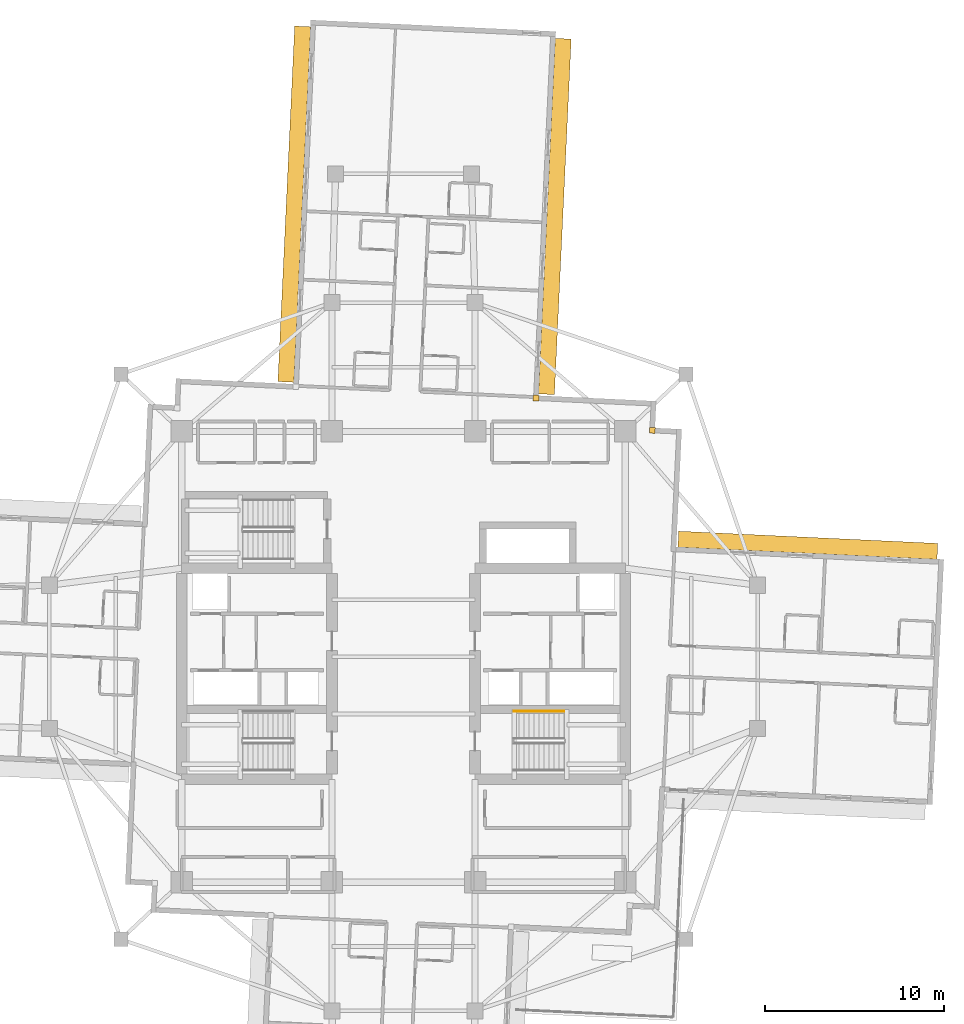
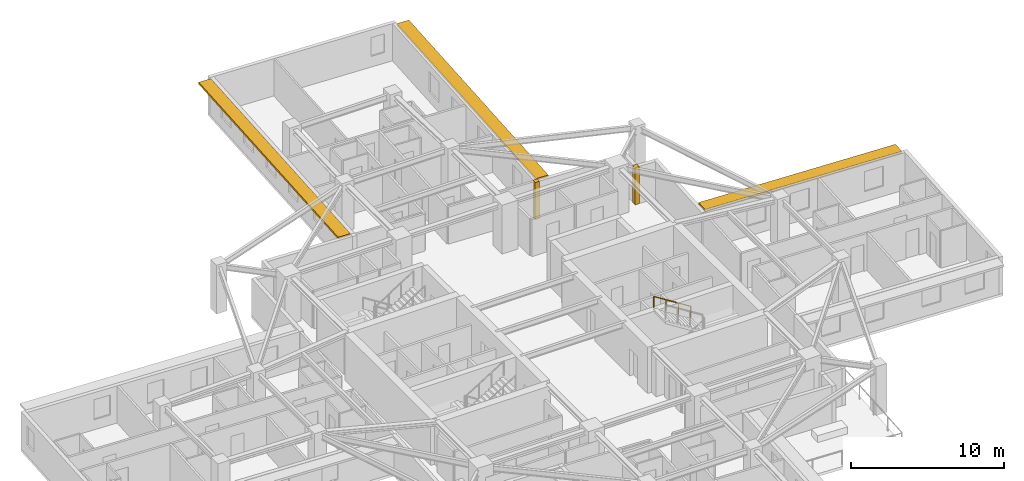
# One storey, part 14 of 14: 3 shading devices, 2 coverings, 1 railing.
"""IFC4 building model written with IfcOpenShell, lengths in metres."""

from ifc_helpers import new_model, si_unit, direction, frame, origin, origin_2d, place, context, subcontext, project, spatial, rectangle, circle, extrude, material, layer, layer_set, type_object, element, save


model = new_model("IFC4")

# Units and contexts
model_context = context("Model", 3, precision=1e-05, world=origin(), true_north=direction((0.0, 1.0)))
body_context = subcontext(model_context, "Body", "Model", "MODEL_VIEW")
ifc_project = project(units=[si_unit("LENGTHUNIT", "METRE"), si_unit("AREAUNIT", "SQUARE_METRE"), si_unit("VOLUMEUNIT", "CUBIC_METRE"), si_unit("PLANEANGLEUNIT", "RADIAN"), si_unit("MASSUNIT", "GRAM", prefix="KILO")], contexts=[model_context])

# Site, building, storey
site_placement = place(None, origin())
site = spatial("IfcSite", under=ifc_project, at=site_placement, CompositionType="ELEMENT")
building_placement = place(site_placement, origin())
building = spatial("IfcBuilding", under=site, at=building_placement, Name="Qingluan Cross Belvedere", CompositionType="ELEMENT")
storey_placement = place(building_placement, frame((0.0, 0.0, 172.199951171875)))
storey = spatial("IfcBuildingStorey", under=building, at=storey_placement, Name="L43", CompositionType="ELEMENT", Elevation=172.199951171875)

# Coverings
ifc_material_1 = material(Name="Precast concrete C45", Category="concrete")
ifc_layer_1 = layer(ifc_material_1, 0.1201171875, Name="ConcreteSpandrelCladding_120")
ifc_layer_set_1 = layer_set([ifc_layer_1], Name="Precast concrete C45")
covering_type = type_object("IfcCoveringType", Name="ConcreteSpandrelCladding_120", PredefinedType="CLADDING", material=ifc_layer_set_1)
for number, where, z_axis, x_axis, name in (
    (1, (13.911865234375, 12.65869140625, 0.0), (0.0, 0.0, 1.0), (0.998889874962, -0.04710645071, 0.0), "Corner closure L43-NE1"),
    (2, (7.40966796875, 14.467041015625, 0.0), (0.0, 0.0, 1.0), (0.998889874962, -0.04710645071, 0.0), "Corner closure L43-NE2"),
):
    element("IfcCovering", number, at=place(storey_placement, frame(where, z_axis=z_axis, x_axis=x_axis)), inside=storey, type_object=covering_type, Name=name, PredefinedType="CLADDING", context=body_context, shape_type="SweptSolid", body=[
        extrude(rectangle(XDim=0.320068359375, YDim=0.320068359375, at=origin_2d()), origin(), (0.0, 0.0, 1.0), 2.969970703125),
    ])

# Shading devices
ifc_material_2 = material(Name="Precast concrete C45", Category="concrete")
ifc_layer_2 = layer(ifc_material_2, 0.159912109375, Name="ConcreteSunshadeBand_900")
ifc_layer_set_2 = layer_set([ifc_layer_2], Name="Precast concrete C45")
shading_device_type = type_object("IfcShadingDeviceType", Name="ConcreteSunshadeBand_900", PredefinedType="USERDEFINED", material=ifc_layer_set_2)
shading_device_placement = place(storey_placement, frame((22.608642578125, 6.23193359375, 2.7900390625), z_axis=(0.0, 0.0, 1.0), x_axis=(-0.99888976521, 0.047108777928, 0.0)))
element("IfcShadingDevice", 3, at=shading_device_placement, inside=storey, type_object=shading_device_type, Name="Concrete SUNSHADE L43-EB", ObjectType="SUNSHADE", PredefinedType="USERDEFINED", context=body_context, shape_type="SweptSolid", body=[
    extrude(rectangle(XDim=14.5, YDim=0.89990234375, at=origin_2d()), origin(), (0.0, 0.0, 1.0), 0.159912109375),
])
for number, where, z_axis, x_axis, name in (
    (4, (8.458984375, 24.618896484375, 2.7900390625), (0.0, 0.0, 1.0), (0.047104684445, 0.998889958255, 0.0), "Concrete SUNSHADE L43-NA"),
    (5, (-6.104736328125, 25.3056640625, 2.7900390625), (0.0, 0.0, 1.0), (-0.04710941444, -0.998889735192, 0.0), "Concrete SUNSHADE L43-NB"),
):
    element("IfcShadingDevice", number, at=place(storey_placement, frame(where, z_axis=z_axis, x_axis=x_axis)), inside=storey, type_object=shading_device_type, Name=name, ObjectType="SUNSHADE", PredefinedType="USERDEFINED", context=body_context, shape_type="SweptSolid", body=[
        extrude(rectangle(XDim=19.89990234375, YDim=0.89990234375, at=origin_2d()), origin(), (0.0, 0.0, 1.0), 0.159912109375),
    ])

# Railing
ifc_material_3 = material(Name="Brushed stainless steel tubular handrail", Category="steel")
railing_type = type_object("IfcRailingType", Name="StairPitchHandrail_900", PredefinedType="HANDRAIL", material=ifc_material_3)
railing_placement = place(storey_placement, frame((8.97998046875, -3.050048828125, 2.12744140625)))
element("IfcRailing", 6, at=railing_placement, inside=storey, type_object=railing_type, Name="L43 ST2 stair handrail 2", PredefinedType="HANDRAIL", context=body_context, shape_type="SweptSolid", body=[
    extrude(circle(Radius=0.02392578125, at=origin_2d()), frame((0.0, 0.0, 0.8759765625), z_axis=(-0.844908973607, 0.0, 0.534910110503), x_axis=(0.0, -1.0, 0.0)), (0.0, 0.0, 1.0), 3.31396484375),
    extrude(circle(Radius=0.02099609375, at=origin_2d()), origin(), (0.0, 0.0, 1.0), 0.851806640625),
    extrude(circle(Radius=0.02099609375, at=origin_2d()), frame((-0.933349609375, 0.0, 0.5908203125)), (0.0, 0.0, 1.0), 0.851806640625),
    extrude(circle(Radius=0.02099609375, at=origin_2d()), frame((-1.86669921875, 0.0, 1.181884765625)), (0.0, 0.0, 1.0), 0.851806640625),
    extrude(circle(Radius=0.02099609375, at=origin_2d()), frame((-2.800048828125, 0.0, 1.772705078125)), (0.0, 0.0, 1.0), 0.851806640625),
])

save(model, "model.ifc")
